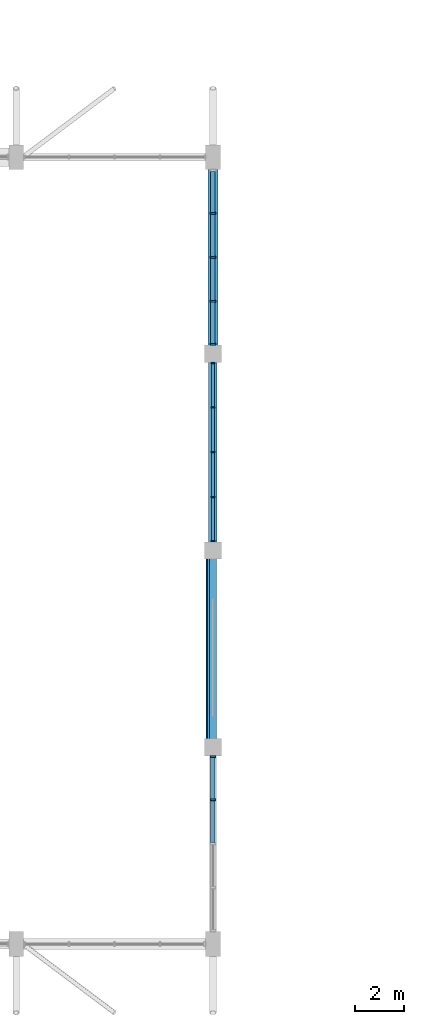
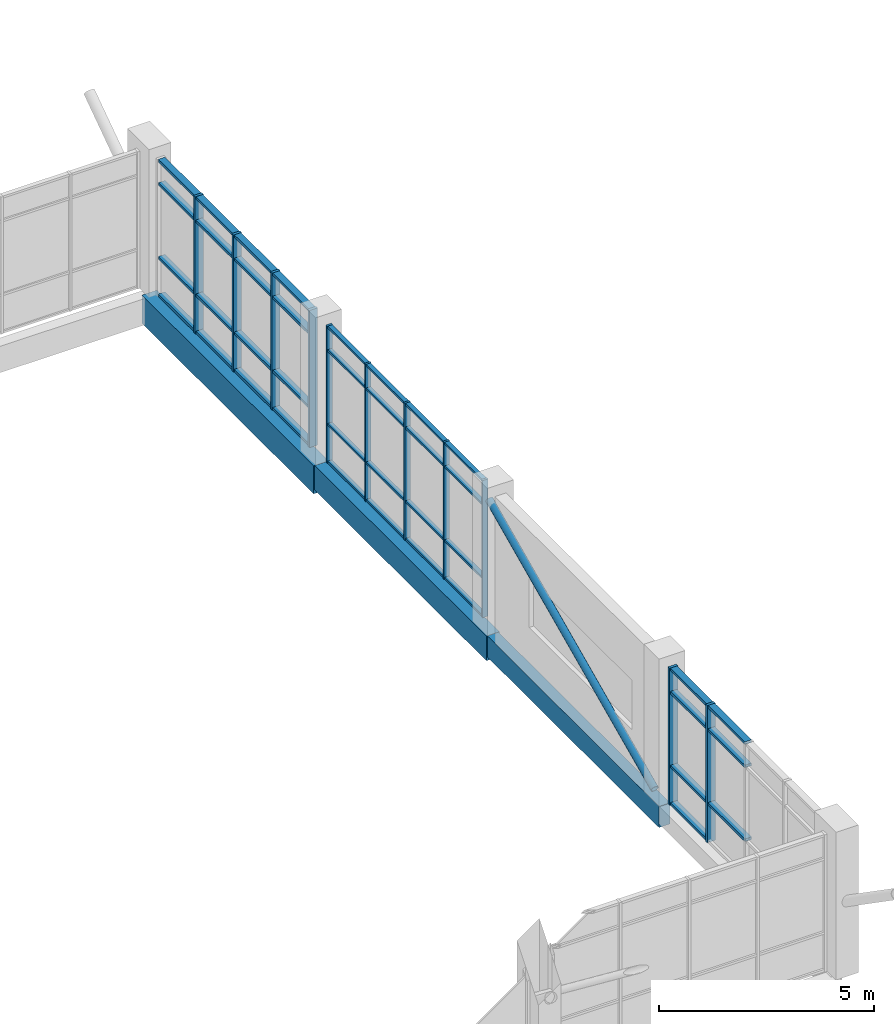
# One storey, part 6 of 44: 51 members, 3 beams, 3 elements without a shape of their own.
"""IFC4 building model written with IfcOpenShell, lengths in metres."""

from ifc_helpers import new_model, si_unit, direction, frame, origin, origin_2d, place, context, subcontext, project, spatial, rectangle, hollow_circle, extrude, material, material_profile, profile_set, type_object, element, aggregate, save


model = new_model("IFC4")

# Units and contexts
model_context = context("Model", 3, precision=1e-05, world=origin(), true_north=direction((0.0, 1.0)))
body_context = subcontext(model_context, "Body", "Model", "MODEL_VIEW")
ifc_project = project(units=[si_unit("LENGTHUNIT", "METRE"), si_unit("AREAUNIT", "SQUARE_METRE"), si_unit("VOLUMEUNIT", "CUBIC_METRE"), si_unit("PLANEANGLEUNIT", "RADIAN"), si_unit("MASSUNIT", "GRAM", prefix="KILO")], contexts=[model_context])

# Site, building, storey
site_placement = place(None, origin())
site = spatial("IfcSite", under=ifc_project, at=site_placement, CompositionType="ELEMENT")
building_placement = place(site_placement, origin())
building = spatial("IfcBuilding", under=site, at=building_placement, Name="Tenunan Teduh Sports Hall", CompositionType="ELEMENT")
storey_placement = place(building_placement, frame((0.0, 0.0, 19.199951171875)))
storey = spatial("IfcBuildingStorey", under=building, at=storey_placement, Name="L04", CompositionType="ELEMENT", Elevation=19.199951171875)

# Beams
ifc_material_1 = material(Name="Concrete C40/50", Category="concrete")
ifc_material_profile_1 = material_profile(ifc_material_1, rectangle(XDim=0.300048828125, YDim=0.60009765625, at=origin_2d()), Name="RCB 300x600")
ifc_profile_set_1 = profile_set([ifc_material_profile_1], Name="Concrete C40/50")
beam_type_1 = type_object("IfcBeamType", Name="BM-RC-300x600", PredefinedType="BEAM", material=ifc_profile_set_1)
beam_1_placement = place(storey_placement, frame((54.0, 22.0, -0.570068359375), z_axis=(0.0, 1.0, 0.0), x_axis=(-1.0, 0.0, 0.0)))
element("IfcBeam", 1, at=beam_1_placement, inside=storey, type_object=beam_type_1, Name="BM-B-03-L04-2097", PredefinedType="BEAM", context=body_context, shape_type="SweptSolid", body=[
    extrude(rectangle(XDim=0.300048828125, YDim=0.60009765625, at=origin_2d()), origin(), (0.0, 0.0, 1.0), 8.0),
])
ifc_material_2 = material(Name="Concrete C40/50", Category="concrete")
ifc_material_profile_2 = material_profile(ifc_material_2, rectangle(XDim=0.35009765625, YDim=0.699951171875, at=origin_2d()), Name="RCB 350x700")
ifc_profile_set_2 = profile_set([ifc_material_profile_2], Name="Concrete C40/50")
beam_type_2 = type_object("IfcBeamType", Name="BM-RC-350x700", PredefinedType="BEAM", material=ifc_profile_set_2)
beam_2_placement = place(storey_placement, frame((54.0, 30.0, -0.619873046875), z_axis=(0.0, 1.0, 0.0), x_axis=(-1.0, 0.0, 0.0)))
element("IfcBeam", 2, at=beam_2_placement, inside=storey, type_object=beam_type_2, Name="BM-B-06-L04-2098", PredefinedType="BEAM", context=body_context, shape_type="SweptSolid", body=[
    extrude(rectangle(XDim=0.35009765625, YDim=0.699951171875, at=origin_2d()), origin(), (0.0, 0.0, 1.0), 8.0),
])
ifc_material_3 = material(Name="Concrete C40/50", Category="concrete")
ifc_material_profile_3 = material_profile(ifc_material_3, rectangle(XDim=0.39990234375, YDim=0.800048828125, at=origin_2d()), Name="RCB 400x800")
ifc_profile_set_3 = profile_set([ifc_material_profile_3], Name="Concrete C40/50")
beam_type_3 = type_object("IfcBeamType", Name="BM-RC-400x800", PredefinedType="BEAM", material=ifc_profile_set_3)
beam_3_placement = place(storey_placement, frame((54.0, 38.0, -0.669921875), z_axis=(0.0, 1.0, 0.0), x_axis=(-1.0, 0.0, 0.0)))
element("IfcBeam", 3, at=beam_3_placement, inside=storey, type_object=beam_type_3, Name="BM-B-10-L04-2099", PredefinedType="BEAM", context=body_context, shape_type="SweptSolid", body=[
    extrude(rectangle(XDim=0.39990234375, YDim=0.800048828125, at=origin_2d()), origin(), (0.0, 0.0, 1.0), 8.0),
])

# Curtain wall, members
ifc_material_4 = material(Name="Anodised aluminium", Category="aluminium")
curtain_wall_type = type_object("IfcCurtainWallType", Name="CW-UNIT-2", PredefinedType="NOTDEFINED", material=ifc_material_4)
curtain_wall_1_placement = place(storey_placement, origin())
curtain_wall_1 = element("IfcCurtainWall", 4, at=curtain_wall_1_placement, inside=storey, type_object=curtain_wall_type, Name="CW-CWM-150-L04-107", PredefinedType="NOTDEFINED")
ifc_material_5 = material(Name="Anodised aluminium", Category="aluminium")
ifc_material_profile_4 = material_profile(ifc_material_5, rectangle(XDim=0.06005859375, YDim=0.14990234375, at=origin_2d()), Name="CWM 60x150")
ifc_profile_set_4 = profile_set([ifc_material_profile_4], Name="Anodised aluminium")
member_type_1 = type_object("IfcMemberType", Name="CWM-150", PredefinedType="MULLION", material=ifc_profile_set_4)
member_1_placement = place(storey_placement, frame((54.0, 30.3798828125, 0.0), z_axis=(0.0, 0.0, 1.0), x_axis=(0.0, 1.0, 0.0)))
member_1 = element("IfcMember", 5, at=member_1_placement, type_object=member_type_1, Name="CW-02 mullion 1", PredefinedType="MULLION", context=body_context, shape_type="SweptSolid", body=[
    extrude(rectangle(XDim=0.06005859375, YDim=0.14990234375, at=origin_2d()), origin(), (0.0, 0.0, 1.0), 3.900146484375),
])
member_2_placement = place(storey_placement, frame((54.0, 32.175048828125, 0.0), z_axis=(0.0, 0.0, 1.0), x_axis=(0.0, 1.0, 0.0)))
member_2 = element("IfcMember", 6, at=member_2_placement, type_object=member_type_1, Name="CW-02 mullion 2", PredefinedType="MULLION", context=body_context, shape_type="SweptSolid", body=[
    extrude(rectangle(XDim=0.06005859375, YDim=0.14990234375, at=origin_2d()), origin(), (0.0, 0.0, 1.0), 3.900146484375),
])
member_3_placement = place(storey_placement, frame((54.0, 34.0, 0.0), z_axis=(0.0, 0.0, 1.0), x_axis=(0.0, 1.0, 0.0)))
member_3 = element("IfcMember", 7, at=member_3_placement, type_object=member_type_1, Name="CW-02 mullion 3", PredefinedType="MULLION", context=body_context, shape_type="SweptSolid", body=[
    extrude(rectangle(XDim=0.06005859375, YDim=0.14990234375, at=origin_2d()), origin(), (0.0, 0.0, 1.0), 3.900146484375),
])
member_4_placement = place(storey_placement, frame((54.0, 35.824951171875, 0.0), z_axis=(0.0, 0.0, 1.0), x_axis=(0.0, 1.0, 0.0)))
member_4 = element("IfcMember", 8, at=member_4_placement, type_object=member_type_1, Name="CW-02 mullion 4", PredefinedType="MULLION", context=body_context, shape_type="SweptSolid", body=[
    extrude(rectangle(XDim=0.06005859375, YDim=0.14990234375, at=origin_2d()), origin(), (0.0, 0.0, 1.0), 3.900146484375),
])
member_5_placement = place(storey_placement, frame((54.0, 37.6201171875, 0.0), z_axis=(0.0, 0.0, 1.0), x_axis=(0.0, 1.0, 0.0)))
member_5 = element("IfcMember", 9, at=member_5_placement, type_object=member_type_1, Name="CW-02 mullion 5", PredefinedType="MULLION", context=body_context, shape_type="SweptSolid", body=[
    extrude(rectangle(XDim=0.06005859375, YDim=0.14990234375, at=origin_2d()), origin(), (0.0, 0.0, 1.0), 3.900146484375),
])

curtain_wall_2_placement = place(storey_placement, origin())
curtain_wall_2 = element("IfcCurtainWall", 10, at=curtain_wall_2_placement, inside=storey, type_object=curtain_wall_type, Name="CW-CWM-220-L04-105", PredefinedType="NOTDEFINED")
ifc_material_6 = material(Name="Anodised aluminium", Category="aluminium")
ifc_material_profile_5 = material_profile(ifc_material_6, rectangle(XDim=0.074951171875, YDim=0.219970703125, at=origin_2d()), Name="CWM 75x220")
ifc_profile_set_5 = profile_set([ifc_material_profile_5], Name="Anodised aluminium")
member_type_2 = type_object("IfcMemberType", Name="CWM-220", PredefinedType="MULLION", material=ifc_profile_set_5)
member_6_placement = place(storey_placement, frame((54.0, 19.862548828125, 0.0), z_axis=(0.0, 0.0, 1.0), x_axis=(0.0, 1.0, 0.0)))
member_6 = element("IfcMember", 11, at=member_6_placement, type_object=member_type_2, Name="CW-02 mullion 4", PredefinedType="MULLION", context=body_context, shape_type="SweptSolid", body=[
    extrude(rectangle(XDim=0.074951171875, YDim=0.219970703125, at=origin_2d()), origin(), (0.0, 0.0, 1.0), 3.900146484375),
])
member_7_placement = place(storey_placement, frame((54.0, 21.612548828125, 0.0), z_axis=(0.0, 0.0, 1.0), x_axis=(0.0, 1.0, 0.0)))
member_7 = element("IfcMember", 12, at=member_7_placement, type_object=member_type_2, Name="CW-02 mullion 5", PredefinedType="MULLION", context=body_context, shape_type="SweptSolid", body=[
    extrude(rectangle(XDim=0.074951171875, YDim=0.219970703125, at=origin_2d()), origin(), (0.0, 0.0, 1.0), 3.900146484375),
])

curtain_wall_3_placement = place(storey_placement, origin())
curtain_wall_3 = element("IfcCurtainWall", 13, at=curtain_wall_3_placement, inside=storey, type_object=curtain_wall_type, Name="CW-CWM-220-L04-109", PredefinedType="NOTDEFINED")
member_8_placement = place(storey_placement, frame((54.0, 38.387451171875, 0.0), z_axis=(0.0, 0.0, 1.0), x_axis=(0.0, 1.0, 0.0)))
member_8 = element("IfcMember", 14, at=member_8_placement, type_object=member_type_2, Name="CW-02 mullion 1", PredefinedType="MULLION", context=body_context, shape_type="SweptSolid", body=[
    extrude(rectangle(XDim=0.074951171875, YDim=0.219970703125, at=origin_2d()), origin(), (0.0, 0.0, 1.0), 3.900146484375),
])
member_9_placement = place(storey_placement, frame((54.0, 40.137451171875, 0.0), z_axis=(0.0, 0.0, 1.0), x_axis=(0.0, 1.0, 0.0)))
member_9 = element("IfcMember", 15, at=member_9_placement, type_object=member_type_2, Name="CW-02 mullion 2", PredefinedType="MULLION", context=body_context, shape_type="SweptSolid", body=[
    extrude(rectangle(XDim=0.074951171875, YDim=0.219970703125, at=origin_2d()), origin(), (0.0, 0.0, 1.0), 3.900146484375),
])
member_10_placement = place(storey_placement, frame((54.0, 41.925048828125, 0.0), z_axis=(0.0, 0.0, 1.0), x_axis=(0.0, 1.0, 0.0)))
member_10 = element("IfcMember", 16, at=member_10_placement, type_object=member_type_2, Name="CW-02 mullion 3", PredefinedType="MULLION", context=body_context, shape_type="SweptSolid", body=[
    extrude(rectangle(XDim=0.074951171875, YDim=0.219970703125, at=origin_2d()), origin(), (0.0, 0.0, 1.0), 3.900146484375),
])
member_11_placement = place(storey_placement, frame((54.0, 43.71240234375, 0.0), z_axis=(0.0, 0.0, 1.0), x_axis=(0.0, 1.0, 0.0)))
member_11 = element("IfcMember", 17, at=member_11_placement, type_object=member_type_2, Name="CW-02 mullion 4", PredefinedType="MULLION", context=body_context, shape_type="SweptSolid", body=[
    extrude(rectangle(XDim=0.074951171875, YDim=0.219970703125, at=origin_2d()), origin(), (0.0, 0.0, 1.0), 3.900146484375),
])

# Member
ifc_material_7 = material(Name="Anodised aluminium", Category="aluminium")
ifc_material_profile_6 = material_profile(ifc_material_7, rectangle(XDim=0.06005859375, YDim=0.1201171875, at=origin_2d()), Name="CWT 60x120")
ifc_profile_set_6 = profile_set([ifc_material_profile_6], Name="Anodised aluminium")
member_type_3 = type_object("IfcMemberType", Name="CWT-125", PredefinedType="USERDEFINED", material=ifc_profile_set_6)
member_12_placement = place(storey_placement, frame((54.0, 30.409912109375, 0.030029296875), z_axis=(0.0, 1.0, 0.0), x_axis=(0.0, 0.0, 1.0)))
member_12 = element("IfcMember", 18, at=member_12_placement, type_object=member_type_3, Name="CW-02 transom 1.1", ObjectType="TRANSOM", PredefinedType="USERDEFINED", context=body_context, shape_type="SweptSolid", body=[
    extrude(rectangle(XDim=0.06005859375, YDim=0.1201171875, at=origin_2d()), origin(), (0.0, 0.0, 1.0), 1.735107421875),
])

member_13_placement = place(storey_placement, frame((54.0, 30.409912109375, 1.10009765625), z_axis=(0.0, 1.0, 0.0), x_axis=(0.0, 0.0, 1.0)))
member_13 = element("IfcMember", 19, at=member_13_placement, type_object=member_type_3, Name="CW-02 transom 1.2", ObjectType="TRANSOM", PredefinedType="USERDEFINED", context=body_context, shape_type="SweptSolid", body=[
    extrude(rectangle(XDim=0.06005859375, YDim=0.1201171875, at=origin_2d()), origin(), (0.0, 0.0, 1.0), 1.735107421875),
])

member_14_placement = place(storey_placement, frame((54.0, 30.409912109375, 3.199951171875), z_axis=(0.0, 1.0, 0.0), x_axis=(0.0, 0.0, 1.0)))
member_14 = element("IfcMember", 20, at=member_14_placement, type_object=member_type_3, Name="CW-02 transom 1.3", ObjectType="TRANSOM", PredefinedType="USERDEFINED", context=body_context, shape_type="SweptSolid", body=[
    extrude(rectangle(XDim=0.06005859375, YDim=0.1201171875, at=origin_2d()), origin(), (0.0, 0.0, 1.0), 1.735107421875),
])

member_15_placement = place(storey_placement, frame((54.0, 30.409912109375, 3.8701171875), z_axis=(0.0, 1.0, 0.0), x_axis=(0.0, 0.0, 1.0)))
member_15 = element("IfcMember", 21, at=member_15_placement, type_object=member_type_3, Name="CW-02 transom 1.4", ObjectType="TRANSOM", PredefinedType="USERDEFINED", context=body_context, shape_type="SweptSolid", body=[
    extrude(rectangle(XDim=0.06005859375, YDim=0.1201171875, at=origin_2d()), origin(), (0.0, 0.0, 1.0), 1.735107421875),
])

member_16_placement = place(storey_placement, frame((54.0, 32.205078125, 0.030029296875), z_axis=(0.0, 1.0, 0.0), x_axis=(0.0, 0.0, 1.0)))
member_16 = element("IfcMember", 22, at=member_16_placement, type_object=member_type_3, Name="CW-02 transom 2.1", ObjectType="TRANSOM", PredefinedType="USERDEFINED", context=body_context, shape_type="SweptSolid", body=[
    extrude(rectangle(XDim=0.06005859375, YDim=0.1201171875, at=origin_2d()), origin(), (0.0, 0.0, 1.0), 1.764892578125),
])

member_17_placement = place(storey_placement, frame((54.0, 32.205078125, 1.10009765625), z_axis=(0.0, 1.0, 0.0), x_axis=(0.0, 0.0, 1.0)))
member_17 = element("IfcMember", 23, at=member_17_placement, type_object=member_type_3, Name="CW-02 transom 2.2", ObjectType="TRANSOM", PredefinedType="USERDEFINED", context=body_context, shape_type="SweptSolid", body=[
    extrude(rectangle(XDim=0.06005859375, YDim=0.1201171875, at=origin_2d()), origin(), (0.0, 0.0, 1.0), 1.764892578125),
])

member_18_placement = place(storey_placement, frame((54.0, 32.205078125, 3.199951171875), z_axis=(0.0, 1.0, 0.0), x_axis=(0.0, 0.0, 1.0)))
member_18 = element("IfcMember", 24, at=member_18_placement, type_object=member_type_3, Name="CW-02 transom 2.3", ObjectType="TRANSOM", PredefinedType="USERDEFINED", context=body_context, shape_type="SweptSolid", body=[
    extrude(rectangle(XDim=0.06005859375, YDim=0.1201171875, at=origin_2d()), origin(), (0.0, 0.0, 1.0), 1.764892578125),
])

member_19_placement = place(storey_placement, frame((54.0, 32.205078125, 3.8701171875), z_axis=(0.0, 1.0, 0.0), x_axis=(0.0, 0.0, 1.0)))
member_19 = element("IfcMember", 25, at=member_19_placement, type_object=member_type_3, Name="CW-02 transom 2.4", ObjectType="TRANSOM", PredefinedType="USERDEFINED", context=body_context, shape_type="SweptSolid", body=[
    extrude(rectangle(XDim=0.06005859375, YDim=0.1201171875, at=origin_2d()), origin(), (0.0, 0.0, 1.0), 1.764892578125),
])

member_20_placement = place(storey_placement, frame((54.0, 34.030029296875, 0.030029296875), z_axis=(0.0, 1.0, 0.0), x_axis=(0.0, 0.0, 1.0)))
member_20 = element("IfcMember", 26, at=member_20_placement, type_object=member_type_3, Name="CW-02 transom 3.1", ObjectType="TRANSOM", PredefinedType="USERDEFINED", context=body_context, shape_type="SweptSolid", body=[
    extrude(rectangle(XDim=0.06005859375, YDim=0.1201171875, at=origin_2d()), origin(), (0.0, 0.0, 1.0), 1.764892578125),
])

member_21_placement = place(storey_placement, frame((54.0, 34.030029296875, 1.10009765625), z_axis=(0.0, 1.0, 0.0), x_axis=(0.0, 0.0, 1.0)))
member_21 = element("IfcMember", 27, at=member_21_placement, type_object=member_type_3, Name="CW-02 transom 3.2", ObjectType="TRANSOM", PredefinedType="USERDEFINED", context=body_context, shape_type="SweptSolid", body=[
    extrude(rectangle(XDim=0.06005859375, YDim=0.1201171875, at=origin_2d()), origin(), (0.0, 0.0, 1.0), 1.764892578125),
])

member_22_placement = place(storey_placement, frame((54.0, 34.030029296875, 3.199951171875), z_axis=(0.0, 1.0, 0.0), x_axis=(0.0, 0.0, 1.0)))
member_22 = element("IfcMember", 28, at=member_22_placement, type_object=member_type_3, Name="CW-02 transom 3.3", ObjectType="TRANSOM", PredefinedType="USERDEFINED", context=body_context, shape_type="SweptSolid", body=[
    extrude(rectangle(XDim=0.06005859375, YDim=0.1201171875, at=origin_2d()), origin(), (0.0, 0.0, 1.0), 1.764892578125),
])

member_23_placement = place(storey_placement, frame((54.0, 34.030029296875, 3.8701171875), z_axis=(0.0, 1.0, 0.0), x_axis=(0.0, 0.0, 1.0)))
member_23 = element("IfcMember", 29, at=member_23_placement, type_object=member_type_3, Name="CW-02 transom 3.4", ObjectType="TRANSOM", PredefinedType="USERDEFINED", context=body_context, shape_type="SweptSolid", body=[
    extrude(rectangle(XDim=0.06005859375, YDim=0.1201171875, at=origin_2d()), origin(), (0.0, 0.0, 1.0), 1.764892578125),
])

member_24_placement = place(storey_placement, frame((54.0, 35.85498046875, 0.030029296875), z_axis=(0.0, 1.0, 0.0), x_axis=(0.0, 0.0, 1.0)))
member_24 = element("IfcMember", 30, at=member_24_placement, type_object=member_type_3, Name="CW-02 transom 4.1", ObjectType="TRANSOM", PredefinedType="USERDEFINED", context=body_context, shape_type="SweptSolid", body=[
    extrude(rectangle(XDim=0.06005859375, YDim=0.1201171875, at=origin_2d()), origin(), (0.0, 0.0, 1.0), 1.735107421875),
])

member_25_placement = place(storey_placement, frame((54.0, 35.85498046875, 1.10009765625), z_axis=(0.0, 1.0, 0.0), x_axis=(0.0, 0.0, 1.0)))
member_25 = element("IfcMember", 31, at=member_25_placement, type_object=member_type_3, Name="CW-02 transom 4.2", ObjectType="TRANSOM", PredefinedType="USERDEFINED", context=body_context, shape_type="SweptSolid", body=[
    extrude(rectangle(XDim=0.06005859375, YDim=0.1201171875, at=origin_2d()), origin(), (0.0, 0.0, 1.0), 1.735107421875),
])

member_26_placement = place(storey_placement, frame((54.0, 35.85498046875, 3.199951171875), z_axis=(0.0, 1.0, 0.0), x_axis=(0.0, 0.0, 1.0)))
member_26 = element("IfcMember", 32, at=member_26_placement, type_object=member_type_3, Name="CW-02 transom 4.3", ObjectType="TRANSOM", PredefinedType="USERDEFINED", context=body_context, shape_type="SweptSolid", body=[
    extrude(rectangle(XDim=0.06005859375, YDim=0.1201171875, at=origin_2d()), origin(), (0.0, 0.0, 1.0), 1.735107421875),
])

member_27_placement = place(storey_placement, frame((54.0, 35.85498046875, 3.8701171875), z_axis=(0.0, 1.0, 0.0), x_axis=(0.0, 0.0, 1.0)))
member_27 = element("IfcMember", 33, at=member_27_placement, type_object=member_type_3, Name="CW-02 transom 4.4", ObjectType="TRANSOM", PredefinedType="USERDEFINED", context=body_context, shape_type="SweptSolid", body=[
    extrude(rectangle(XDim=0.06005859375, YDim=0.1201171875, at=origin_2d()), origin(), (0.0, 0.0, 1.0), 1.735107421875),
])

aggregate(curtain_wall_1, [member_1, member_2, member_3, member_4, member_5, member_12, member_13, member_14, member_15, member_16, member_17, member_18, member_19, member_20, member_21, member_22, member_23, member_24, member_25, member_26, member_27])

ifc_material_8 = material(Name="Anodised aluminium", Category="aluminium")
ifc_material_profile_7 = material_profile(ifc_material_8, rectangle(XDim=0.074951171875, YDim=0.179931640625, at=origin_2d()), Name="CWT 75x180")
ifc_profile_set_7 = profile_set([ifc_material_profile_7], Name="Anodised aluminium")
member_type_4 = type_object("IfcMemberType", Name="CWT-180", PredefinedType="USERDEFINED", material=ifc_profile_set_7)
member_28_placement = place(storey_placement, frame((54.0, 18.112548828125, 1.10009765625), z_axis=(0.0, 1.0, 0.0), x_axis=(0.0, 0.0, 1.0)))
member_28 = element("IfcMember", 34, at=member_28_placement, type_object=member_type_4, Name="CW-02 transom 3.2", ObjectType="TRANSOM", PredefinedType="USERDEFINED", context=body_context, shape_type="SweptSolid", body=[
    extrude(rectangle(XDim=0.074951171875, YDim=0.179931640625, at=origin_2d()), origin(), (0.0, 0.0, 1.0), 1.71240234375),
])

member_29_placement = place(storey_placement, frame((54.0, 18.112548828125, 3.199951171875), z_axis=(0.0, 1.0, 0.0), x_axis=(0.0, 0.0, 1.0)))
member_29 = element("IfcMember", 35, at=member_29_placement, type_object=member_type_4, Name="CW-02 transom 3.3", ObjectType="TRANSOM", PredefinedType="USERDEFINED", context=body_context, shape_type="SweptSolid", body=[
    extrude(rectangle(XDim=0.074951171875, YDim=0.179931640625, at=origin_2d()), origin(), (0.0, 0.0, 1.0), 1.71240234375),
])

member_30_placement = place(storey_placement, frame((54.0, 18.112548828125, 3.862548828125), z_axis=(0.0, 1.0, 0.0), x_axis=(0.0, 0.0, 1.0)))
member_30 = element("IfcMember", 36, at=member_30_placement, type_object=member_type_4, Name="CW-02 transom 3.4", ObjectType="TRANSOM", PredefinedType="USERDEFINED", context=body_context, shape_type="SweptSolid", body=[
    extrude(rectangle(XDim=0.074951171875, YDim=0.179931640625, at=origin_2d()), origin(), (0.0, 0.0, 1.0), 1.71240234375),
])

member_31_placement = place(storey_placement, frame((54.0, 19.89990234375, 0.03759765625), z_axis=(0.0, 1.0, 0.0), x_axis=(0.0, 0.0, 1.0)))
member_31 = element("IfcMember", 37, at=member_31_placement, type_object=member_type_4, Name="CW-02 transom 4.1", ObjectType="TRANSOM", PredefinedType="USERDEFINED", context=body_context, shape_type="SweptSolid", body=[
    extrude(rectangle(XDim=0.074951171875, YDim=0.179931640625, at=origin_2d()), origin(), (0.0, 0.0, 1.0), 1.675048828125),
])

member_32_placement = place(storey_placement, frame((54.0, 19.89990234375, 1.10009765625), z_axis=(0.0, 1.0, 0.0), x_axis=(0.0, 0.0, 1.0)))
member_32 = element("IfcMember", 38, at=member_32_placement, type_object=member_type_4, Name="CW-02 transom 4.2", ObjectType="TRANSOM", PredefinedType="USERDEFINED", context=body_context, shape_type="SweptSolid", body=[
    extrude(rectangle(XDim=0.074951171875, YDim=0.179931640625, at=origin_2d()), origin(), (0.0, 0.0, 1.0), 1.675048828125),
])

member_33_placement = place(storey_placement, frame((54.0, 19.89990234375, 3.199951171875), z_axis=(0.0, 1.0, 0.0), x_axis=(0.0, 0.0, 1.0)))
member_33 = element("IfcMember", 39, at=member_33_placement, type_object=member_type_4, Name="CW-02 transom 4.3", ObjectType="TRANSOM", PredefinedType="USERDEFINED", context=body_context, shape_type="SweptSolid", body=[
    extrude(rectangle(XDim=0.074951171875, YDim=0.179931640625, at=origin_2d()), origin(), (0.0, 0.0, 1.0), 1.675048828125),
])

member_34_placement = place(storey_placement, frame((54.0, 19.89990234375, 3.862548828125), z_axis=(0.0, 1.0, 0.0), x_axis=(0.0, 0.0, 1.0)))
member_34 = element("IfcMember", 40, at=member_34_placement, type_object=member_type_4, Name="CW-02 transom 4.4", ObjectType="TRANSOM", PredefinedType="USERDEFINED", context=body_context, shape_type="SweptSolid", body=[
    extrude(rectangle(XDim=0.074951171875, YDim=0.179931640625, at=origin_2d()), origin(), (0.0, 0.0, 1.0), 1.675048828125),
])

aggregate(curtain_wall_2, [member_6, member_7, member_28, member_29, member_30, member_31, member_32, member_33, member_34])

member_35_placement = place(storey_placement, frame((54.0, 38.425048828125, 0.03759765625), z_axis=(0.0, 1.0, 0.0), x_axis=(0.0, 0.0, 1.0)))
member_35 = element("IfcMember", 41, at=member_35_placement, type_object=member_type_4, Name="CW-02 transom 1.1", ObjectType="TRANSOM", PredefinedType="USERDEFINED", context=body_context, shape_type="SweptSolid", body=[
    extrude(rectangle(XDim=0.074951171875, YDim=0.179931640625, at=origin_2d()), origin(), (0.0, 0.0, 1.0), 1.675048828125),
])

member_36_placement = place(storey_placement, frame((54.0, 38.425048828125, 1.10009765625), z_axis=(0.0, 1.0, 0.0), x_axis=(0.0, 0.0, 1.0)))
member_36 = element("IfcMember", 42, at=member_36_placement, type_object=member_type_4, Name="CW-02 transom 1.2", ObjectType="TRANSOM", PredefinedType="USERDEFINED", context=body_context, shape_type="SweptSolid", body=[
    extrude(rectangle(XDim=0.074951171875, YDim=0.179931640625, at=origin_2d()), origin(), (0.0, 0.0, 1.0), 1.675048828125),
])

member_37_placement = place(storey_placement, frame((54.0, 38.425048828125, 3.199951171875), z_axis=(0.0, 1.0, 0.0), x_axis=(0.0, 0.0, 1.0)))
member_37 = element("IfcMember", 43, at=member_37_placement, type_object=member_type_4, Name="CW-02 transom 1.3", ObjectType="TRANSOM", PredefinedType="USERDEFINED", context=body_context, shape_type="SweptSolid", body=[
    extrude(rectangle(XDim=0.074951171875, YDim=0.179931640625, at=origin_2d()), origin(), (0.0, 0.0, 1.0), 1.675048828125),
])

member_38_placement = place(storey_placement, frame((54.0, 38.425048828125, 3.862548828125), z_axis=(0.0, 1.0, 0.0), x_axis=(0.0, 0.0, 1.0)))
member_38 = element("IfcMember", 44, at=member_38_placement, type_object=member_type_4, Name="CW-02 transom 1.4", ObjectType="TRANSOM", PredefinedType="USERDEFINED", context=body_context, shape_type="SweptSolid", body=[
    extrude(rectangle(XDim=0.074951171875, YDim=0.179931640625, at=origin_2d()), origin(), (0.0, 0.0, 1.0), 1.675048828125),
])

member_39_placement = place(storey_placement, frame((54.0, 40.175048828125, 0.03759765625), z_axis=(0.0, 1.0, 0.0), x_axis=(0.0, 0.0, 1.0)))
member_39 = element("IfcMember", 45, at=member_39_placement, type_object=member_type_4, Name="CW-02 transom 2.1", ObjectType="TRANSOM", PredefinedType="USERDEFINED", context=body_context, shape_type="SweptSolid", body=[
    extrude(rectangle(XDim=0.074951171875, YDim=0.179931640625, at=origin_2d()), origin(), (0.0, 0.0, 1.0), 1.71240234375),
])

member_40_placement = place(storey_placement, frame((54.0, 40.175048828125, 1.10009765625), z_axis=(0.0, 1.0, 0.0), x_axis=(0.0, 0.0, 1.0)))
member_40 = element("IfcMember", 46, at=member_40_placement, type_object=member_type_4, Name="CW-02 transom 2.2", ObjectType="TRANSOM", PredefinedType="USERDEFINED", context=body_context, shape_type="SweptSolid", body=[
    extrude(rectangle(XDim=0.074951171875, YDim=0.179931640625, at=origin_2d()), origin(), (0.0, 0.0, 1.0), 1.71240234375),
])

member_41_placement = place(storey_placement, frame((54.0, 40.175048828125, 3.199951171875), z_axis=(0.0, 1.0, 0.0), x_axis=(0.0, 0.0, 1.0)))
member_41 = element("IfcMember", 47, at=member_41_placement, type_object=member_type_4, Name="CW-02 transom 2.3", ObjectType="TRANSOM", PredefinedType="USERDEFINED", context=body_context, shape_type="SweptSolid", body=[
    extrude(rectangle(XDim=0.074951171875, YDim=0.179931640625, at=origin_2d()), origin(), (0.0, 0.0, 1.0), 1.71240234375),
])

member_42_placement = place(storey_placement, frame((54.0, 40.175048828125, 3.862548828125), z_axis=(0.0, 1.0, 0.0), x_axis=(0.0, 0.0, 1.0)))
member_42 = element("IfcMember", 48, at=member_42_placement, type_object=member_type_4, Name="CW-02 transom 2.4", ObjectType="TRANSOM", PredefinedType="USERDEFINED", context=body_context, shape_type="SweptSolid", body=[
    extrude(rectangle(XDim=0.074951171875, YDim=0.179931640625, at=origin_2d()), origin(), (0.0, 0.0, 1.0), 1.71240234375),
])

member_43_placement = place(storey_placement, frame((54.0, 41.96240234375, 0.03759765625), z_axis=(0.0, 1.0, 0.0), x_axis=(0.0, 0.0, 1.0)))
member_43 = element("IfcMember", 49, at=member_43_placement, type_object=member_type_4, Name="CW-02 transom 3.1", ObjectType="TRANSOM", PredefinedType="USERDEFINED", context=body_context, shape_type="SweptSolid", body=[
    extrude(rectangle(XDim=0.074951171875, YDim=0.179931640625, at=origin_2d()), origin(), (0.0, 0.0, 1.0), 1.712646484375),
])

member_44_placement = place(storey_placement, frame((54.0, 41.96240234375, 1.10009765625), z_axis=(0.0, 1.0, 0.0), x_axis=(0.0, 0.0, 1.0)))
member_44 = element("IfcMember", 50, at=member_44_placement, type_object=member_type_4, Name="CW-02 transom 3.2", ObjectType="TRANSOM", PredefinedType="USERDEFINED", context=body_context, shape_type="SweptSolid", body=[
    extrude(rectangle(XDim=0.074951171875, YDim=0.179931640625, at=origin_2d()), origin(), (0.0, 0.0, 1.0), 1.712646484375),
])

member_45_placement = place(storey_placement, frame((54.0, 41.96240234375, 3.199951171875), z_axis=(0.0, 1.0, 0.0), x_axis=(0.0, 0.0, 1.0)))
member_45 = element("IfcMember", 51, at=member_45_placement, type_object=member_type_4, Name="CW-02 transom 3.3", ObjectType="TRANSOM", PredefinedType="USERDEFINED", context=body_context, shape_type="SweptSolid", body=[
    extrude(rectangle(XDim=0.074951171875, YDim=0.179931640625, at=origin_2d()), origin(), (0.0, 0.0, 1.0), 1.712646484375),
])

member_46_placement = place(storey_placement, frame((54.0, 41.96240234375, 3.862548828125), z_axis=(0.0, 1.0, 0.0), x_axis=(0.0, 0.0, 1.0)))
member_46 = element("IfcMember", 52, at=member_46_placement, type_object=member_type_4, Name="CW-02 transom 3.4", ObjectType="TRANSOM", PredefinedType="USERDEFINED", context=body_context, shape_type="SweptSolid", body=[
    extrude(rectangle(XDim=0.074951171875, YDim=0.179931640625, at=origin_2d()), origin(), (0.0, 0.0, 1.0), 1.712646484375),
])

member_47_placement = place(storey_placement, frame((54.0, 43.75, 0.03759765625), z_axis=(0.0, 1.0, 0.0), x_axis=(0.0, 0.0, 1.0)))
member_47 = element("IfcMember", 53, at=member_47_placement, type_object=member_type_4, Name="CW-02 transom 4.1", ObjectType="TRANSOM", PredefinedType="USERDEFINED", context=body_context, shape_type="SweptSolid", body=[
    extrude(rectangle(XDim=0.074951171875, YDim=0.179931640625, at=origin_2d()), origin(), (0.0, 0.0, 1.0), 1.675048828125),
])

member_48_placement = place(storey_placement, frame((54.0, 43.75, 1.10009765625), z_axis=(0.0, 1.0, 0.0), x_axis=(0.0, 0.0, 1.0)))
member_48 = element("IfcMember", 54, at=member_48_placement, type_object=member_type_4, Name="CW-02 transom 4.2", ObjectType="TRANSOM", PredefinedType="USERDEFINED", context=body_context, shape_type="SweptSolid", body=[
    extrude(rectangle(XDim=0.074951171875, YDim=0.179931640625, at=origin_2d()), origin(), (0.0, 0.0, 1.0), 1.675048828125),
])

member_49_placement = place(storey_placement, frame((54.0, 43.75, 3.199951171875), z_axis=(0.0, 1.0, 0.0), x_axis=(0.0, 0.0, 1.0)))
member_49 = element("IfcMember", 55, at=member_49_placement, type_object=member_type_4, Name="CW-02 transom 4.3", ObjectType="TRANSOM", PredefinedType="USERDEFINED", context=body_context, shape_type="SweptSolid", body=[
    extrude(rectangle(XDim=0.074951171875, YDim=0.179931640625, at=origin_2d()), origin(), (0.0, 0.0, 1.0), 1.675048828125),
])

member_50_placement = place(storey_placement, frame((54.0, 43.75, 3.862548828125), z_axis=(0.0, 1.0, 0.0), x_axis=(0.0, 0.0, 1.0)))
member_50 = element("IfcMember", 56, at=member_50_placement, type_object=member_type_4, Name="CW-02 transom 4.4", ObjectType="TRANSOM", PredefinedType="USERDEFINED", context=body_context, shape_type="SweptSolid", body=[
    extrude(rectangle(XDim=0.074951171875, YDim=0.179931640625, at=origin_2d()), origin(), (0.0, 0.0, 1.0), 1.675048828125),
])

aggregate(curtain_wall_3, [member_8, member_9, member_10, member_11, member_35, member_36, member_37, member_38, member_39, member_40, member_41, member_42, member_43, member_44, member_45, member_46, member_47, member_48, member_49, member_50])

ifc_material_9 = material(Name="Steel S355", Category="steel")
ifc_material_profile_8 = material_profile(ifc_material_9, hollow_circle(Radius=0.096923828125, WallThickness=0.008056640625, at=origin_2d()), Name="CHS 193.7x8.0")
ifc_profile_set_8 = profile_set([ifc_material_profile_8], Name="Steel S355")
member_type_5 = type_object("IfcMemberType", Name="MEM-BR-CHS194", PredefinedType="BRACE", material=ifc_profile_set_8)
member_51_placement = place(storey_placement, frame((53.820068359375, 22.14990234375, 0.150146484375), z_axis=(0.0, 0.908144697219, 0.418656433024), x_axis=(-1.0, 0.0, 0.0)))
element("IfcMember", 57, at=member_51_placement, inside=storey, type_object=member_type_5, Name="MEM-GD-03-L04-1453", PredefinedType="BRACE", context=body_context, shape_type="SweptSolid", body=[
    extrude(hollow_circle(Radius=0.096923828125, WallThickness=0.008056640625, at=origin_2d()), origin(), (0.0, 0.0, 1.0), 8.47900390625),
])

save(model, "model.ifc")
